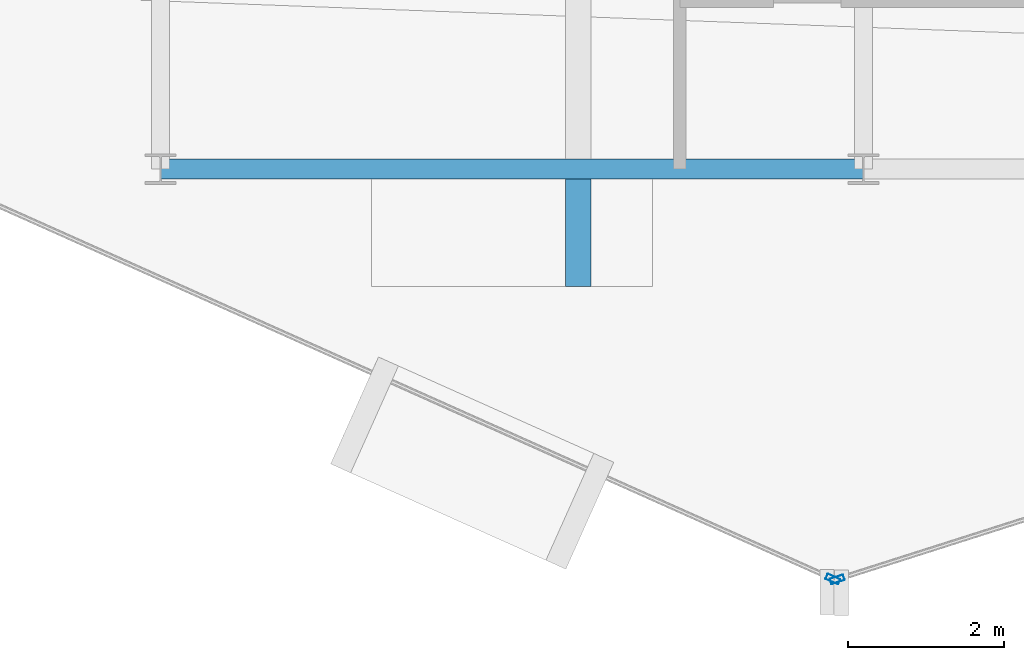
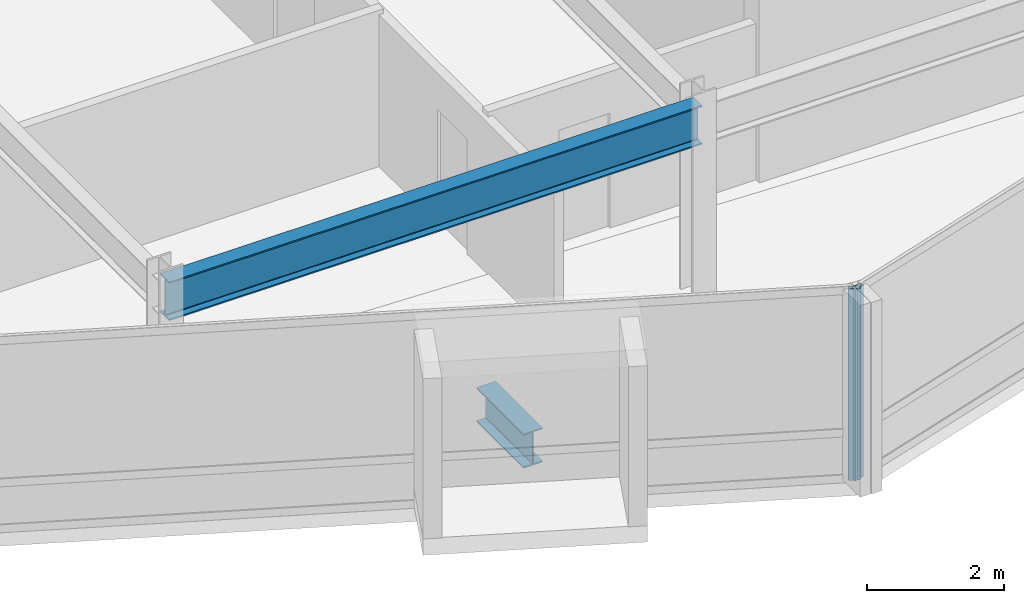
# One storey, part 4 of 19: 2 beams, 2 members, 2 elements without a shape of their own.
"""IFC4 building model written with IfcOpenShell, lengths in metres."""

from ifc_helpers import new_model, si_unit, direction, frame, origin, origin_2d, place, context, subcontext, project, spatial, hollow_rectangle, i_section, extrude, material, layer, layer_set, material_profile, profile_set, type_object, element, aggregate, save


model = new_model("IFC4")

# Units and contexts
model_context = context("Model", 3, precision=1e-05, world=origin(), true_north=direction((0.0, 1.0)))
body_context = subcontext(model_context, "Body", "Model", "MODEL_VIEW")
ifc_project = project(units=[si_unit("LENGTHUNIT", "METRE"), si_unit("AREAUNIT", "SQUARE_METRE"), si_unit("VOLUMEUNIT", "CUBIC_METRE"), si_unit("PLANEANGLEUNIT", "RADIAN"), si_unit("MASSUNIT", "GRAM", prefix="KILO")], contexts=[model_context])

# Site, building, storey
site_placement = place(None, origin())
site = spatial("IfcSite", under=ifc_project, at=site_placement, CompositionType="ELEMENT")
building_placement = place(site_placement, origin())
building = spatial("IfcBuilding", under=site, at=building_placement, Name="Solvaryn Broadcast Tower", CompositionType="ELEMENT")
storey_placement = place(building_placement, frame((0.0, 0.0, 251.89990234375)))
storey = spatial("IfcBuildingStorey", under=building, at=storey_placement, Name="L63", CompositionType="ELEMENT", Elevation=251.89990234375)

# Beams
ifc_material_1 = material(Name="Steel ASTM A992 Grade 50", Category="steel")
ifc_material_profile_1 = material_profile(ifc_material_1, i_section(OverallWidth=0.323974609375, OverallDepth=0.611083984375, WebThickness=0.0126953125, FlangeThickness=0.01904296875, FilletRadius=0.014892578125, at=origin_2d()))
ifc_profile_set_1 = profile_set([ifc_material_profile_1], Name="Steel ASTM A992 Grade 50")
beam_type_1 = type_object("IfcBeamType", Name="BM-CANT-TER", PredefinedType="BEAM", material=ifc_profile_set_1)
beam_1_placement = place(storey_placement, frame((23.35009765625, 8.875, -0.58544921875), z_axis=(0.0, -1.0, 0.0), x_axis=(1.0, 0.0, 0.0)))
element("IfcBeam", 1, at=beam_1_placement, inside=storey, type_object=beam_type_1, Name="L63 Bay-Box Cantilever Bracket 1", PredefinedType="BEAM", context=body_context, shape_type="SweptSolid", body=[
    extrude(i_section(OverallWidth=0.323974609375, OverallDepth=0.611083984375, WebThickness=0.0126953125, FlangeThickness=0.01904296875, FilletRadius=0.014892578125, at=origin_2d()), origin(), (0.0, 0.0, 1.0), 1.375),
])
ifc_material_2 = material(Name="Steel ASTM A992 Grade 50", Category="steel")
ifc_material_profile_2 = material_profile(ifc_material_2, i_section(OverallWidth=0.256103515625, OverallDepth=0.693115234375, WebThickness=0.014404296875, FlangeThickness=0.023681640625, FilletRadius=0.01611328125, at=origin_2d()))
ifc_profile_set_2 = profile_set([ifc_material_profile_2], Name="Steel ASTM A992 Grade 50")
beam_type_2 = type_object("IfcBeamType", Name="BM-SP3-W27X114", PredefinedType="USERDEFINED", material=ifc_profile_set_2)
beam_2_placement = place(storey_placement, frame((18.0, 9.0, 3.073486328125), z_axis=(1.0, 0.0, 0.0), x_axis=(0.0, 1.0, 0.0)))
element("IfcBeam", 2, at=beam_2_placement, inside=storey, type_object=beam_type_2, Name="L63 Spandrel Beam X (18-27 @ Y=9)", ObjectType="SPANDREL", PredefinedType="USERDEFINED", context=body_context, shape_type="SweptSolid", body=[
    extrude(i_section(OverallWidth=0.256103515625, OverallDepth=0.693115234375, WebThickness=0.014404296875, FlangeThickness=0.023681640625, FilletRadius=0.01611328125, at=origin_2d()), origin(), (0.0, 0.0, 1.0), 9.0),
])

# Curtain wall, member
ifc_material_3 = material(Name="Aluminium and Terracotta Unitised Curtain Wall", Category="masonry")
ifc_layer = layer(ifc_material_3, 0.199951171875)
ifc_layer_set = layer_set([ifc_layer], Name="CW-SYS2-LOWMID")
curtain_wall_type = type_object("IfcCurtainWallType", Name="CW-SYS2-LOWMID", PredefinedType="NOTDEFINED", material=ifc_layer_set)
curtain_wall_1_placement = place(storey_placement, origin())
curtain_wall_1 = element("IfcCurtainWall", 3, at=curtain_wall_1_placement, inside=storey, type_object=curtain_wall_type, Name="L63 Curtain Wall DR3", PredefinedType="NOTDEFINED")
ifc_material_4 = material(Name="Anodised Aluminium 6063-T6", Category="aluminium")
ifc_material_profile_3 = material_profile(ifc_material_4, hollow_rectangle(XDim=0.074951171875, YDim=0.179931640625, WallThickness=0.00390625, InnerFilletRadius=0.00390625, OuterFilletRadius=0.008056640625, at=origin_2d()))
ifc_profile_set_3 = profile_set([ifc_material_profile_3], Name="Anodised Aluminium 6063-T6")
member_type = type_object("IfcMemberType", Name="CW-MUL-180", PredefinedType="MULLION", material=ifc_profile_set_3)
member_1_placement = place(storey_placement, frame((26.608642578125, 3.750244140625, 0.0), z_axis=(0.0, 0.0, 1.0), x_axis=(0.408466010682, 0.912773530574, 0.0)))
member_1 = element("IfcMember", 4, at=member_1_placement, type_object=member_type, Name="CWS2 mullion 2", PredefinedType="MULLION", context=body_context, shape_type="SweptSolid", body=[
    extrude(hollow_rectangle(XDim=0.074951171875, YDim=0.179931640625, WallThickness=0.00390625, InnerFilletRadius=0.00390625, OuterFilletRadius=0.008056640625, at=origin_2d()), origin(), (0.0, 0.0, 1.0), 3.420166015625),
])
aggregate(curtain_wall_1, [member_1])

curtain_wall_2_placement = place(storey_placement, origin())
curtain_wall_2 = element("IfcCurtainWall", 5, at=curtain_wall_2_placement, inside=storey, type_object=curtain_wall_type, Name="L63 Curtain Wall DR4", PredefinedType="NOTDEFINED")
member_2_placement = place(storey_placement, frame((26.66455078125, 3.7470703125, 0.0), z_axis=(0.0, 0.0, 1.0), x_axis=(-0.30361564569, 0.952794594701, 0.0)))
member_2 = element("IfcMember", 6, at=member_2_placement, type_object=member_type, Name="CWS2 mullion 1", PredefinedType="MULLION", context=body_context, shape_type="SweptSolid", body=[
    extrude(hollow_rectangle(XDim=0.074951171875, YDim=0.179931640625, WallThickness=0.00390625, InnerFilletRadius=0.00390625, OuterFilletRadius=0.008056640625, at=origin_2d()), origin(), (0.0, 0.0, 1.0), 3.420166015625),
])
aggregate(curtain_wall_2, [member_2])

save(model, "model.ifc")
